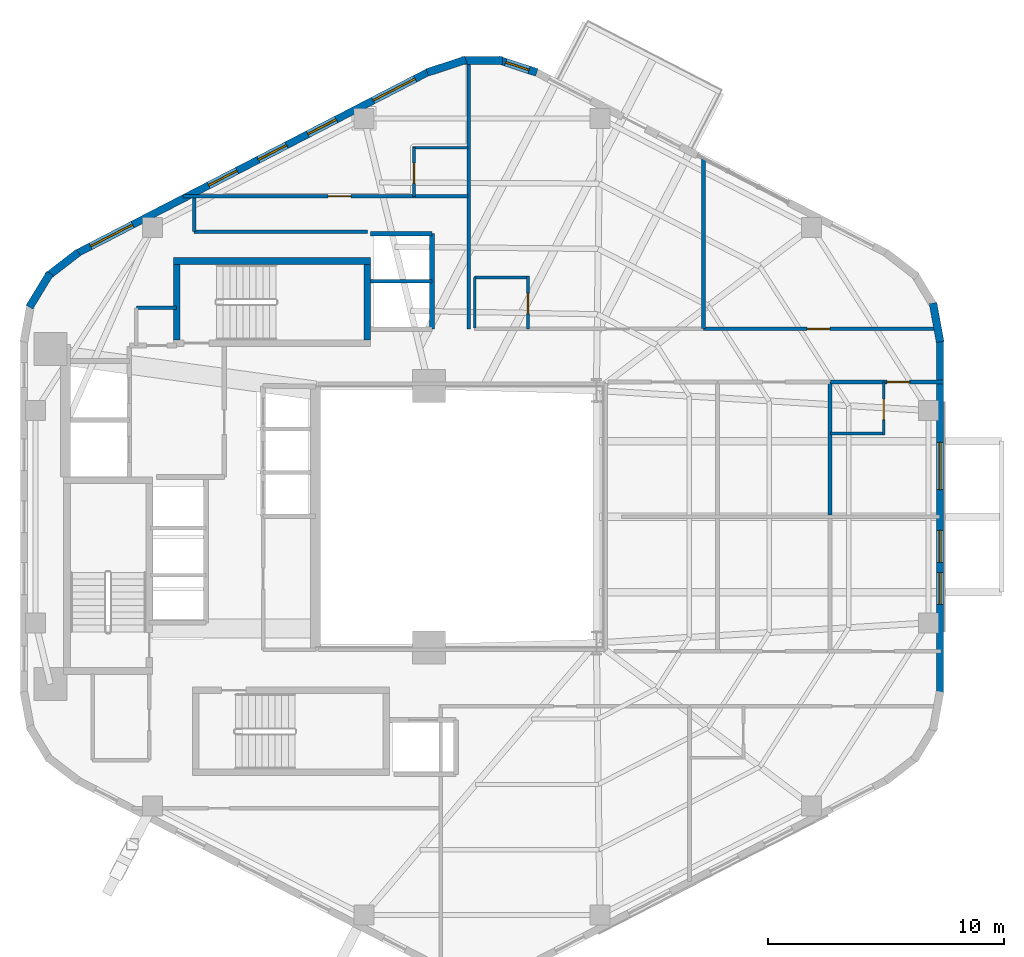
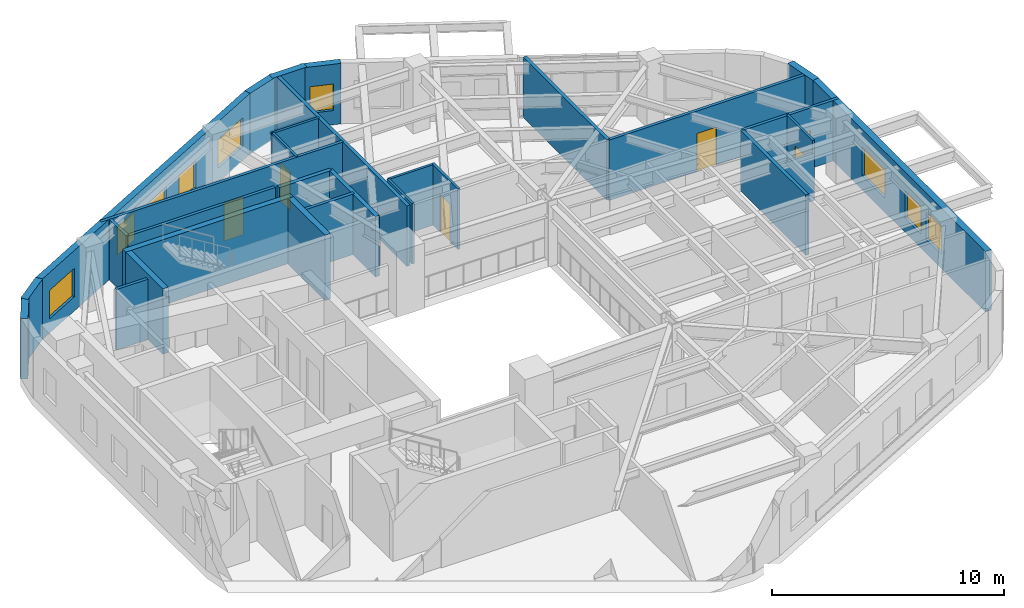
# One storey, part 9 of 12: 30 walls, 9 windows, 6 doors, 15 openings.
"""IFC4 building model written with IfcOpenShell, lengths in metres."""

from ifc_helpers import new_model, si_unit, direction, frame, frame_2d, origin, place, context, subcontext, project, spatial, rectangle, extrude, material, layer, layer_set, type_object, element, fill, save


model = new_model("IFC4")

# Units and contexts
model_context = context("Model", 3, precision=1e-05, world=origin(), true_north=direction((0.0, 1.0)))
body_context = subcontext(model_context, "Body", "Model", "MODEL_VIEW")
ifc_project = project(units=[si_unit("LENGTHUNIT", "METRE"), si_unit("AREAUNIT", "SQUARE_METRE"), si_unit("VOLUMEUNIT", "CUBIC_METRE"), si_unit("PLANEANGLEUNIT", "RADIAN"), si_unit("MASSUNIT", "GRAM", prefix="KILO"), si_unit("THERMODYNAMICTEMPERATUREUNIT", "KELVIN"), si_unit("POWERUNIT", "WATT")], contexts=[model_context])

# Site, building, storey
site_placement = place(None, origin())
site = spatial("IfcSite", under=ifc_project, at=site_placement, CompositionType="ELEMENT")
building_placement = place(site_placement, origin())
building = spatial("IfcBuilding", under=site, at=building_placement, Name="Skarre Station Tower", CompositionType="ELEMENT")
storey_placement = place(building_placement, frame((0.0, 0.0, 163.64990234375)))
storey = spatial("IfcBuildingStorey", under=building, at=storey_placement, Name="L44", CompositionType="ELEMENT", Elevation=163.64990234375)

# Wall
ifc_material_1 = material(Name="Acoustic Steel-Stud Gypsum Partition", Category="steel")
ifc_layer_1 = layer(ifc_material_1, 0.14990234375, Name="Acoustic Steel-Stud Gypsum Partition")
ifc_layer_set_1 = layer_set([ifc_layer_1], Name="Acoustic Steel-Stud Gypsum Partition")
wall_type_1 = type_object("IfcWallType", Name="Fire-Rated Corridor Acoustic Partition 150", PredefinedType="PARTITIONING", material=ifc_layer_set_1)
wall_1_placement = place(storey_placement, frame((21.659912109375, 32.85009765625, 0.0), z_axis=(0.0, 0.0, 1.0), x_axis=(-1.0, 0.0, 0.0)))
element("IfcWall", 1, at=wall_1_placement, inside=storey, type_object=wall_type_1, Name="L44 Interior Partition WL-PT-L44-CNW-N1", PredefinedType="PARTITIONING", context=body_context, shape_type="SweptSolid", body=[
    extrude(rectangle(XDim=1.7099609375, YDim=0.14990234375, at=frame_2d((0.85498046875, 0.0))), origin(), (0.0, 0.0, 1.0), 3.190185546875),
])

# Wall, opening, door
wall_2_placement = place(storey_placement, frame((34.0, 37.580078125, 0.0), z_axis=(0.0, 0.0, 1.0), x_axis=(-1.0, 0.0, 0.0)))
wall_2 = element("IfcWall", 2, at=wall_2_placement, inside=storey, type_object=wall_type_1, Name="L44 Interior Partition WL-PT-L44-NWW1-CW", PredefinedType="PARTITIONING", context=body_context, shape_type="SweptSolid", body=[
    extrude(rectangle(XDim=12.074951171875, YDim=0.14990234375, at=frame_2d((6.03759765625, 0.0))), origin(), (0.0, 0.0, 1.0), 3.190185546875),
])
opening_1_placement = place(wall_2_placement, frame((4.9599609375, 0.0, 0.0)))
opening_1 = element("IfcOpeningElement", 3, at=opening_1_placement, cuts=wall_2, Name="Opening DR-FD60", PredefinedType="OPENING", context=body_context, shape_type="SweptSolid", body=[
    extrude(rectangle(XDim=0.9599609375, YDim=2.0, at=frame_2d((0.47998046875, 1.0))), frame((0.0, 0.0849609375, 0.0), z_axis=(0.0, -1.0, 0.0), x_axis=(1.0, 0.0, 0.0)), (0.0, 0.0, 1.0), 0.169921875),
])
ifc_material_2 = material(Name="Nordic White-Oak Veneer Solid-Core Fire Leaf", Category="wood")
door_type_1 = type_object("IfcDoorType", Name="Corridor Suite Entry Fire Door FD60 960x2150", OperationType="SINGLE_SWING_LEFT", PredefinedType="DOOR", material=ifc_material_2)
door_1_placement = place(opening_1_placement, origin())
door_1 = element("IfcDoor", 4, at=door_1_placement, inside=storey, type_object=door_type_1, Name="L44 NWW1 Entry Door", OperationType="SINGLE_SWING_LEFT", OverallHeight=2.0, OverallWidth=0.9599609375, PredefinedType="DOOR", context=body_context, shape_type="SweptSolid", body=[
    extrude(rectangle(XDim=0.9599609375, YDim=2.0, at=frame_2d((0.47998046875, 1.0))), frame((0.0, 0.02490234375, 0.0), z_axis=(0.0, -1.0, 0.0), x_axis=(1.0, 0.0, 0.0)), (0.0, 0.0, 1.0), 0.050048828125),
])
fill(opening_1, door_1)

wall_3_placement = place(storey_placement, frame((53.969970703125, 31.9599609375, 0.0), z_axis=(0.0, 0.0, 1.0), x_axis=(-1.0, 0.0, 0.0)))
wall_3 = element("IfcWall", 5, at=wall_3_placement, inside=storey, type_object=wall_type_1, Name="L44 Interior Partition WL-PT-L44-NW2-CW", PredefinedType="PARTITIONING", context=body_context, shape_type="SweptSolid", body=[
    extrude(rectangle(XDim=9.974853515625, YDim=0.14990234375, at=frame_2d((4.9873046875, 0.0))), origin(), (0.0, 0.0, 1.0), 3.190185546875),
])
opening_2_placement = place(wall_3_placement, frame((4.626953125, 0.0, 0.0)))
opening_2 = element("IfcOpeningElement", 6, at=opening_2_placement, cuts=wall_3, Name="Opening DR-FD60", PredefinedType="OPENING", context=body_context, shape_type="SweptSolid", body=[
    extrude(rectangle(XDim=0.9599609375, YDim=2.0, at=frame_2d((0.47998046875, 1.0))), frame((0.0, 0.0849609375, 0.0), z_axis=(0.0, -1.0, 0.0), x_axis=(1.0, 0.0, 0.0)), (0.0, 0.0, 1.0), 0.169921875),
])
door_2_placement = place(opening_2_placement, origin())
door_2 = element("IfcDoor", 7, at=door_2_placement, inside=storey, type_object=door_type_1, Name="L44 NW2 Entry Door", OperationType="SINGLE_SWING_LEFT", OverallHeight=2.0, OverallWidth=0.9599609375, PredefinedType="DOOR", context=body_context, shape_type="SweptSolid", body=[
    extrude(rectangle(XDim=0.9599609375, YDim=2.0, at=frame_2d((0.47998046875, 1.0))), frame((0.0, 0.02490234375, 0.0), z_axis=(0.0, -1.0, 0.0), x_axis=(1.0, 0.0, 0.0)), (0.0, 0.0, 1.0), 0.050048828125),
])
fill(opening_2, door_2)

wall_4_placement = place(storey_placement, frame((49.373046875, 29.7099609375, 0.0), z_axis=(0.0, 0.0, 1.0), x_axis=(1.0, 0.0, 0.0)))
wall_4 = element("IfcWall", 8, at=wall_4_placement, inside=storey, type_object=wall_type_1, Name="L44 Interior Partition WL-PT-L44-EWN3-CW", PredefinedType="PARTITIONING", context=body_context, shape_type="SweptSolid", body=[
    extrude(rectangle(XDim=4.7890625, YDim=0.14990234375, at=frame_2d((2.39453125, 0.0))), origin(), (0.0, 0.0, 1.0), 3.190185546875),
])
opening_3_placement = place(wall_4_placement, frame((2.388916015625, 0.0, 0.0)))
opening_3 = element("IfcOpeningElement", 9, at=opening_3_placement, cuts=wall_4, Name="Opening DR-FD60", PredefinedType="OPENING", context=body_context, shape_type="SweptSolid", body=[
    extrude(rectangle(XDim=0.9599609375, YDim=2.0, at=frame_2d((0.47998046875, 1.0))), frame((0.0, 0.0849609375, 0.0), z_axis=(0.0, -1.0, 0.0), x_axis=(1.0, 0.0, 0.0)), (0.0, 0.0, 1.0), 0.169921875),
])
door_3_placement = place(opening_3_placement, origin())
door_3 = element("IfcDoor", 10, at=door_3_placement, inside=storey, type_object=door_type_1, Name="L44 EWN3 Entry Door", OperationType="SINGLE_SWING_LEFT", OverallHeight=2.0, OverallWidth=0.9599609375, PredefinedType="DOOR", context=body_context, shape_type="SweptSolid", body=[
    extrude(rectangle(XDim=0.9599609375, YDim=2.0, at=frame_2d((0.47998046875, 1.0))), frame((0.0, 0.02490234375, 0.0), z_axis=(0.0, -1.0, 0.0), x_axis=(1.0, 0.0, 0.0)), (0.0, 0.0, 1.0), 0.050048828125),
])
fill(opening_3, door_3)

# Walls
wall_5_placement = place(storey_placement, frame((29.7529296875, 36.080078125, 0.0), z_axis=(0.0, 0.0, 1.0), x_axis=(-1.0, 0.0, 0.0)))
element("IfcWall", 11, at=wall_5_placement, inside=storey, type_object=wall_type_1, Name="L44 Interior Partition WL-PT-L44-CSEAL-1", PredefinedType="PARTITIONING", context=body_context, shape_type="SweptSolid", body=[
    extrude(rectangle(XDim=7.35302734375, YDim=0.14990234375, at=frame_2d((3.676513671875, 0.0))), origin(), (0.0, 0.0, 1.0), 3.190185546875),
])
wall_6_placement = place(storey_placement, frame((22.39990234375, 36.080078125, 0.0), z_axis=(0.0, 0.0, 1.0), x_axis=(0.0, 1.0, 0.0)))
element("IfcWall", 12, at=wall_6_placement, inside=storey, type_object=wall_type_1, Name="L44 Interior Partition WL-PT-L44-CSEAL-2", PredefinedType="PARTITIONING", context=body_context, shape_type="SweptSolid", body=[
    extrude(rectangle(XDim=1.429931640625, YDim=0.14990234375, at=frame_2d((0.71484375, 0.0))), origin(), (0.0, 0.0, 1.0), 3.190185546875),
])
ifc_material_3 = material(Name="Insulated Timber-Stud Gypsum Partition", Category="wood")
ifc_layer_2 = layer(ifc_material_3, 0.1201171875, Name="Insulated Timber-Stud Gypsum Partition")
ifc_layer_set_2 = layer_set([ifc_layer_2], Name="Insulated Timber-Stud Gypsum Partition")
wall_type_2 = type_object("IfcWallType", Name="Internal Suite Acoustic Partition 120", PredefinedType="PARTITIONING", material=ifc_layer_set_2)
wall_7_placement = place(storey_placement, frame((34.0, 39.639892578125, 0.0), z_axis=(0.0, 0.0, 1.0), x_axis=(-1.0, 0.0, 0.0)))
element("IfcWall", 13, at=wall_7_placement, inside=storey, type_object=wall_type_2, Name="L44 Interior Partition WL-PT-L44-NWW1-EW3", PredefinedType="PARTITIONING", context=body_context, shape_type="SweptSolid", body=[
    extrude(rectangle(XDim=2.340087890625, YDim=0.1201171875, at=frame_2d((1.169921875, 0.0))), origin(), (0.0, 0.0, 1.0), 3.190185546875),
])

# Wall, opening, door
wall_8_placement = place(storey_placement, frame((31.719970703125, 39.639892578125, 0.0), z_axis=(0.0, 0.0, 1.0), x_axis=(0.0, -1.0, 0.0)))
wall_8 = element("IfcWall", 14, at=wall_8_placement, inside=storey, type_object=wall_type_2, Name="L44 Interior Partition WL-PT-L44-NWW1-EW4", PredefinedType="PARTITIONING", context=body_context, shape_type="SweptSolid", body=[
    extrude(rectangle(XDim=2.059814453125, YDim=0.1201171875, at=frame_2d((1.02978515625, 0.0))), origin(), (0.0, 0.0, 1.0), 3.190185546875),
])
opening_4_placement = place(wall_8_placement, frame((0.64990234375, 0.0, 0.0)))
opening_4 = element("IfcOpeningElement", 15, at=opening_4_placement, cuts=wall_8, Name="Opening DR-INT86", PredefinedType="OPENING", context=body_context, shape_type="SweptSolid", body=[
    extrude(rectangle(XDim=0.860107421875, YDim=2.0, at=frame_2d((0.43017578125, 1.0))), frame((0.0, 0.070068359375, 0.0), z_axis=(0.0, -1.0, 0.0), x_axis=(1.0, 0.0, 0.0)), (0.0, 0.0, 1.0), 0.14013671875),
])
ifc_material_4 = material(Name="Nordic Birch Acoustic Solid-Core Timber Leaf", Category="wood")
door_type_2 = type_object("IfcDoorType", Name="Internal En-Suite & Bedroom Door 860x2100", OperationType="SINGLE_SWING_LEFT", PredefinedType="DOOR", material=ifc_material_4)
door_4_placement = place(opening_4_placement, origin())
door_4 = element("IfcDoor", 16, at=door_4_placement, inside=storey, type_object=door_type_2, Name="L44 NWW1 En-suite Door", OperationType="SINGLE_SWING_RIGHT", OverallHeight=2.0, OverallWidth=0.860107421875, PredefinedType="DOOR", context=body_context, shape_type="SweptSolid", body=[
    extrude(rectangle(XDim=0.860107421875, YDim=2.0, at=frame_2d((0.43017578125, 1.0))), frame((0.0, 0.02490234375, 0.0), z_axis=(0.0, -1.0, 0.0), x_axis=(1.0, 0.0, 0.0)), (0.0, 0.0, 1.0), 0.050048828125),
])
fill(opening_4, door_4)

wall_9_placement = place(storey_placement, frame((36.550048828125, 31.9599609375, 0.0), z_axis=(0.0, 0.0, 1.0), x_axis=(0.0, 1.0, 0.0)))
wall_9 = element("IfcWall", 17, at=wall_9_placement, inside=storey, type_object=wall_type_2, Name="L44 Interior Partition WL-PT-L44-NW1-EW2", PredefinedType="PARTITIONING", context=body_context, shape_type="SweptSolid", body=[
    extrude(rectangle(XDim=2.239990234375, YDim=0.1201171875, at=frame_2d((1.1201171875, 0.0))), origin(), (0.0, 0.0, 1.0), 3.190185546875),
])
opening_5_placement = place(wall_9_placement, frame((0.64990234375, 0.0, 0.0)))
opening_5 = element("IfcOpeningElement", 18, at=opening_5_placement, cuts=wall_9, Name="Opening DR-INT86", PredefinedType="OPENING", context=body_context, shape_type="SweptSolid", body=[
    extrude(rectangle(XDim=0.860107421875, YDim=2.0, at=frame_2d((0.43017578125, 1.0))), frame((0.0, 0.070068359375, 0.0), z_axis=(0.0, -1.0, 0.0), x_axis=(1.0, 0.0, 0.0)), (0.0, 0.0, 1.0), 0.14013671875),
])
door_5_placement = place(opening_5_placement, origin())
door_5 = element("IfcDoor", 19, at=door_5_placement, inside=storey, type_object=door_type_2, Name="L44 NW1 En-suite Door", OperationType="SINGLE_SWING_LEFT", OverallHeight=2.0, OverallWidth=0.860107421875, PredefinedType="DOOR", context=body_context, shape_type="SweptSolid", body=[
    extrude(rectangle(XDim=0.860107421875, YDim=2.0, at=frame_2d((0.43017578125, 1.0))), frame((0.0, 0.02490234375, 0.0), z_axis=(0.0, -1.0, 0.0), x_axis=(1.0, 0.0, 0.0)), (0.0, 0.0, 1.0), 0.050048828125),
])
fill(opening_5, door_5)

# Walls
wall_10_placement = place(storey_placement, frame((36.610107421875, 34.139892578125, 0.0), z_axis=(0.0, 0.0, 1.0), x_axis=(-1.0, 0.0, 0.0)))
element("IfcWall", 20, at=wall_10_placement, inside=storey, type_object=wall_type_2, Name="L44 Interior Partition WL-PT-L44-NW1-EW3", PredefinedType="PARTITIONING", context=body_context, shape_type="SweptSolid", body=[
    extrude(rectangle(XDim=2.320068359375, YDim=0.1201171875, at=frame_2d((1.16015625, 0.0))), origin(), (0.0, 0.0, 1.0), 3.190185546875),
])
wall_11_placement = place(storey_placement, frame((34.2900390625, 34.139892578125, 0.0), z_axis=(0.0, 0.0, 1.0), x_axis=(0.0, -1.0, 0.0)))
element("IfcWall", 21, at=wall_11_placement, inside=storey, type_object=wall_type_2, Name="L44 Interior Partition WL-PT-L44-NW1-EW4", PredefinedType="PARTITIONING", context=body_context, shape_type="SweptSolid", body=[
    extrude(rectangle(XDim=2.139892578125, YDim=0.1201171875, at=frame_2d((1.06982421875, 0.0))), origin(), (0.0, 0.0, 1.0), 3.190185546875),
])

# Wall, opening, door
wall_12_placement = place(storey_placement, frame((51.633056640625, 27.469970703125, 0.0), z_axis=(0.0, 0.0, 1.0), x_axis=(0.0, 1.0, 0.0)))
wall_12 = element("IfcWall", 22, at=wall_12_placement, inside=storey, type_object=wall_type_2, Name="L44 Interior Partition WL-PT-L44-EWN3-EW2", PredefinedType="PARTITIONING", context=body_context, shape_type="SweptSolid", body=[
    extrude(rectangle(XDim=2.239990234375, YDim=0.1201171875, at=frame_2d((1.1201171875, 0.0))), origin(), (0.0, 0.0, 1.0), 3.190185546875),
])
opening_6_placement = place(wall_12_placement, frame((0.64990234375, 0.0, 0.0)))
opening_6 = element("IfcOpeningElement", 23, at=opening_6_placement, cuts=wall_12, Name="Opening DR-INT86", PredefinedType="OPENING", context=body_context, shape_type="SweptSolid", body=[
    extrude(rectangle(XDim=0.860107421875, YDim=2.0, at=frame_2d((0.43017578125, 1.0))), frame((0.0, 0.070068359375, 0.0), z_axis=(0.0, -1.0, 0.0), x_axis=(1.0, 0.0, 0.0)), (0.0, 0.0, 1.0), 0.14013671875),
])
door_6_placement = place(opening_6_placement, origin())
door_6 = element("IfcDoor", 24, at=door_6_placement, inside=storey, type_object=door_type_2, Name="L44 EWN3 En-suite Door", OperationType="SINGLE_SWING_RIGHT", OverallHeight=2.0, OverallWidth=0.860107421875, PredefinedType="DOOR", context=body_context, shape_type="SweptSolid", body=[
    extrude(rectangle(XDim=0.860107421875, YDim=2.0, at=frame_2d((0.43017578125, 1.0))), frame((0.0, 0.02490234375, 0.0), z_axis=(0.0, -1.0, 0.0), x_axis=(1.0, 0.0, 0.0)), (0.0, 0.0, 1.0), 0.050048828125),
])
fill(opening_6, door_6)

# Walls
wall_13_placement = place(storey_placement, frame((49.373046875, 27.530029296875, 0.0), z_axis=(0.0, 0.0, 1.0), x_axis=(1.0, 0.0, 0.0)))
element("IfcWall", 25, at=wall_13_placement, inside=storey, type_object=wall_type_2, Name="L44 Interior Partition WL-PT-L44-EWN3-EW1", PredefinedType="PARTITIONING", context=body_context, shape_type="SweptSolid", body=[
    extrude(rectangle(XDim=2.320068359375, YDim=0.1201171875, at=frame_2d((1.16015625, 0.0))), origin(), (0.0, 0.0, 1.0), 2.494140625),
])
ifc_material_5 = material(Name="Precast concrete C45/55", Category="concrete")
ifc_layer_3 = layer(ifc_material_5, 0.330078125, Name="Precast concrete C45/55")
ifc_layer_set_3 = layer_set([ifc_layer_3], Name="Precast concrete C45/55")
wall_type_3 = type_object("IfcWallType", Name="Nordic Rounded Corner Precast Wall 330", PredefinedType="STANDARD", material=ifc_layer_set_3)
wall_14_placement = place(storey_placement, frame((53.718017578125, 33.056884765625, 0.0), z_axis=(0.0, 0.0, 1.0), x_axis=(0.180717642671, -0.983535019014, 0.0)))
element("IfcWall", 26, at=wall_14_placement, inside=storey, type_object=wall_type_3, Name="L44 Rounded Corner Precast Wall F0-3", PredefinedType="STANDARD", context=body_context, shape_type="SweptSolid", body=[
    extrude(rectangle(XDim=1.676513671875, YDim=0.330078125, at=frame_2d((0.83837890625, 0.0))), origin(), (0.0, 0.0, 1.0), 3.190185546875),
])
wall_15_placement = place(storey_placement, frame((32.281005859375, 42.83203125, 0.0), z_axis=(0.0, 0.0, 1.0), x_axis=(0.949937416267, 0.312440242569, 0.0)))
element("IfcWall", 27, at=wall_15_placement, inside=storey, type_object=wall_type_3, Name="L44 Rounded Corner Precast Wall F1-1", PredefinedType="STANDARD", context=body_context, shape_type="SweptSolid", body=[
    extrude(rectangle(XDim=1.72216796875, YDim=0.330078125, at=frame_2d((0.861083984375, 0.0))), origin(), (0.0, 0.0, 1.0), 3.190185546875),
])
wall_16_placement = place(storey_placement, frame((33.739013671875, 43.341064453125, 0.0), z_axis=(0.0, 0.0, 1.0), x_axis=(1.0, 0.0, 0.0)))
element("IfcWall", 28, at=wall_16_placement, inside=storey, type_object=wall_type_3, Name="L44 Rounded Corner Precast Wall F1-2", PredefinedType="STANDARD", context=body_context, shape_type="SweptSolid", body=[
    extrude(rectangle(XDim=1.721923828125, YDim=0.330078125, at=frame_2d((0.86083984375, 0.0))), origin(), (0.0, 0.0, 1.0), 3.190185546875),
])

# Wall, opening, window
wall_17_placement = place(storey_placement, frame((35.282958984375, 43.3701171875, 0.0), z_axis=(0.0, 0.0, 1.0), x_axis=(0.949937416267, -0.312440242569, 0.0)))
wall_17 = element("IfcWall", 29, at=wall_17_placement, inside=storey, type_object=wall_type_3, Name="L44 Rounded Corner Precast Wall F1-3", PredefinedType="STANDARD", context=body_context, shape_type="SweptSolid", body=[
    extrude(rectangle(XDim=1.72216796875, YDim=0.330078125, at=frame_2d((0.861083984375, 0.0))), origin(), (0.0, 0.0, 1.0), 3.190185546875),
])
opening_7_placement = place(wall_17_placement, frame((0.3359375, 0.0, 0.75)))
opening_7 = element("IfcOpeningElement", 30, at=opening_7_placement, cuts=wall_17, Name="Opening WN-SLT", PredefinedType="OPENING", context=body_context, shape_type="SweptSolid", body=[
    extrude(rectangle(XDim=1.050048828125, YDim=1.39990234375, at=frame_2d((0.52490234375, 0.699951171875))), frame((0.0, 0.175048828125, 0.0), z_axis=(0.0, -1.0, 0.0), x_axis=(1.0, 0.0, 0.0)), (0.0, 0.0, 1.0), 0.35009765625),
])
ifc_material_6 = material(Name="Low-Iron Triple Glazing with Bronze Anodized Frame", Category="glass")
window_type_1 = type_object("IfcWindowType", Name="Nordic Corner Slot Window 1050x1400", PartitioningType="SINGLE_PANEL", PredefinedType="WINDOW", material=ifc_material_6)
window_1_placement = place(opening_7_placement, origin())
window_1 = element("IfcWindow", 31, at=window_1_placement, inside=storey, type_object=window_type_1, Name="L44 Apex Corner Slot Window F1-3", OverallHeight=1.39990234375, OverallWidth=1.050048828125, PartitioningType="SINGLE_PANEL", PredefinedType="WINDOW", context=body_context, shape_type="SweptSolid", body=[
    extrude(rectangle(XDim=1.050048828125, YDim=1.39990234375, at=frame_2d((0.52490234375, 0.699951171875))), frame((0.0, 0.030029296875, 0.0), z_axis=(0.0, -1.0, 0.0), x_axis=(1.0, 0.0, 0.0)), (0.0, 0.0, 1.0), 0.06005859375),
])
fill(opening_7, window_1)

# Walls
wall_18_placement = place(storey_placement, frame((15.4150390625, 32.882080078125, 0.0), z_axis=(0.0, 0.0, 1.0), x_axis=(0.520325409202, 0.853968072318, 0.0)))
element("IfcWall", 32, at=wall_18_placement, inside=storey, type_object=wall_type_3, Name="L44 Rounded Corner Precast Wall F2-2", PredefinedType="STANDARD", context=body_context, shape_type="SweptSolid", body=[
    extrude(rectangle(XDim=1.677978515625, YDim=0.330078125, at=frame_2d((0.8388671875, 0.0))), origin(), (0.0, 0.0, 1.0), 3.190185546875),
])
wall_19_placement = place(storey_placement, frame((16.162109375, 34.175048828125, 0.0), z_axis=(0.0, 0.0, 1.0), x_axis=(0.791409877269, 0.611285862884, 0.0)))
element("IfcWall", 33, at=wall_19_placement, inside=storey, type_object=wall_type_3, Name="L44 Rounded Corner Precast Wall F2-3", PredefinedType="STANDARD", context=body_context, shape_type="SweptSolid", body=[
    extrude(rectangle(XDim=1.676513671875, YDim=0.330078125, at=frame_2d((0.83837890625, 0.0))), origin(), (0.0, 0.0, 1.0), 3.190185546875),
])

# Wall, openings, windows
ifc_layer_4 = layer(ifc_material_5, 0.31005859375, Name="Precast concrete C45/55")
ifc_layer_set_4 = layer_set([ifc_layer_4], Name="Precast concrete C45/55")
wall_type_4 = type_object("IfcWallType", Name="Nordic Upper-Zone Precast Facet Wall 310", PredefinedType="STANDARD", material=ifc_layer_set_4)
wall_20_placement = place(storey_placement, frame((17.407958984375, 35.153076171875, 0.0), z_axis=(0.0, 0.0, 1.0), x_axis=(0.888626188278, 0.458632202867, 0.0)))
wall_20 = element("IfcWall", 34, at=wall_20_placement, inside=storey, type_object=wall_type_4, Name="L44 Facet 1 Nordic Precast Masonry Wall", PredefinedType="STANDARD", context=body_context, shape_type="SweptSolid", body=[
    extrude(rectangle(XDim=16.828369140625, YDim=0.31005859375, at=frame_2d((8.4140625, 0.0))), origin(), (0.0, 0.0, 1.0), 3.190185546875),
])
opening_8_placement = place(wall_20_placement, frame((0.675048828125, 0.0, 0.75)))
opening_8 = element("IfcOpeningElement", 35, at=opening_8_placement, cuts=wall_20, Name="Opening WN-Z3A", PredefinedType="OPENING", context=body_context, shape_type="SweptSolid", body=[
    extrude(rectangle(XDim=2.0, YDim=1.5, at=frame_2d((1.0, 0.75))), frame((0.0, 0.1650390625, 0.0), z_axis=(0.0, -1.0, 0.0), x_axis=(1.0, 0.0, 0.0)), (0.0, 0.0, 1.0), 0.330078125),
])
opening_9_placement = place(wall_20_placement, frame((6.31201171875, 0.0, 0.75)))
opening_9 = element("IfcOpeningElement", 36, at=opening_9_placement, cuts=wall_20, Name="Opening WN-Z3B", PredefinedType="OPENING", context=body_context, shape_type="SweptSolid", body=[
    extrude(rectangle(XDim=1.35009765625, YDim=1.449951171875, at=frame_2d((0.675048828125, 0.72509765625))), frame((0.0, 0.1650390625, 0.0), z_axis=(0.0, -1.0, 0.0), x_axis=(1.0, 0.0, 0.0)), (0.0, 0.0, 1.0), 0.330078125),
])
opening_10_placement = place(wall_20_placement, frame((8.676025390625, 0.0, 0.75)))
opening_10 = element("IfcOpeningElement", 37, at=opening_10_placement, cuts=wall_20, Name="Opening WN-Z3B", PredefinedType="OPENING", context=body_context, shape_type="SweptSolid", body=[
    extrude(rectangle(XDim=1.35009765625, YDim=1.449951171875, at=frame_2d((0.675048828125, 0.72509765625))), frame((0.0, 0.1650390625, 0.0), z_axis=(0.0, -1.0, 0.0), x_axis=(1.0, 0.0, 0.0)), (0.0, 0.0, 1.0), 0.330078125),
])
opening_11_placement = place(wall_20_placement, frame((11.041015625, 0.0, 0.75)))
opening_11 = element("IfcOpeningElement", 38, at=opening_11_placement, cuts=wall_20, Name="Opening WN-Z3B", PredefinedType="OPENING", context=body_context, shape_type="SweptSolid", body=[
    extrude(rectangle(XDim=1.35009765625, YDim=1.449951171875, at=frame_2d((0.675048828125, 0.72509765625))), frame((0.0, 0.1650390625, 0.0), z_axis=(0.0, -1.0, 0.0), x_axis=(1.0, 0.0, 0.0)), (0.0, 0.0, 1.0), 0.330078125),
])
opening_12_placement = place(wall_20_placement, frame((14.153076171875, 0.0, 0.75)))
opening_12 = element("IfcOpeningElement", 39, at=opening_12_placement, cuts=wall_20, Name="Opening WN-Z3A", PredefinedType="OPENING", context=body_context, shape_type="SweptSolid", body=[
    extrude(rectangle(XDim=2.0, YDim=1.5, at=frame_2d((1.0, 0.75))), frame((0.0, 0.1650390625, 0.0), z_axis=(0.0, -1.0, 0.0), x_axis=(1.0, 0.0, 0.0)), (0.0, 0.0, 1.0), 0.330078125),
])
window_type_2 = type_object("IfcWindowType", Name="Nordic Hospitality Narrow Window 1350x1450", PartitioningType="SINGLE_PANEL", PredefinedType="WINDOW", material=ifc_material_6)
window_2_placement = place(opening_9_placement, origin())
window_2 = element("IfcWindow", 40, at=window_2_placement, inside=storey, type_object=window_type_2, Name="L44 Facade Window WL-FAC-L44-F1-2", OverallHeight=1.449951171875, OverallWidth=1.35009765625, PartitioningType="SINGLE_PANEL", PredefinedType="WINDOW", context=body_context, shape_type="SweptSolid", body=[
    extrude(rectangle(XDim=1.35009765625, YDim=1.449951171875, at=frame_2d((0.675048828125, 0.72509765625))), frame((0.0, 0.030029296875, 0.0), z_axis=(0.0, -1.0, 0.0), x_axis=(1.0, 0.0, 0.0)), (0.0, 0.0, 1.0), 0.06005859375),
])
fill(opening_9, window_2)
window_3_placement = place(opening_10_placement, origin())
window_3 = element("IfcWindow", 41, at=window_3_placement, inside=storey, type_object=window_type_2, Name="L44 Facade Window WL-FAC-L44-F1-3", OverallHeight=1.449951171875, OverallWidth=1.35009765625, PartitioningType="SINGLE_PANEL", PredefinedType="WINDOW", context=body_context, shape_type="SweptSolid", body=[
    extrude(rectangle(XDim=1.35009765625, YDim=1.449951171875, at=frame_2d((0.675048828125, 0.72509765625))), frame((0.0, 0.030029296875, 0.0), z_axis=(0.0, -1.0, 0.0), x_axis=(1.0, 0.0, 0.0)), (0.0, 0.0, 1.0), 0.06005859375),
])
fill(opening_10, window_3)
window_4_placement = place(opening_11_placement, origin())
window_4 = element("IfcWindow", 42, at=window_4_placement, inside=storey, type_object=window_type_2, Name="L44 Facade Window WL-FAC-L44-F1-4", OverallHeight=1.449951171875, OverallWidth=1.35009765625, PartitioningType="SINGLE_PANEL", PredefinedType="WINDOW", context=body_context, shape_type="SweptSolid", body=[
    extrude(rectangle(XDim=1.35009765625, YDim=1.449951171875, at=frame_2d((0.675048828125, 0.72509765625))), frame((0.0, 0.030029296875, 0.0), z_axis=(0.0, -1.0, 0.0), x_axis=(1.0, 0.0, 0.0)), (0.0, 0.0, 1.0), 0.06005859375),
])
fill(opening_11, window_4)
window_type_3 = type_object("IfcWindowType", Name="Nordic Hospitality Window 2000x1500", PartitioningType="SINGLE_PANEL", PredefinedType="WINDOW", material=ifc_material_6)
window_5_placement = place(opening_8_placement, origin())
window_5 = element("IfcWindow", 43, at=window_5_placement, inside=storey, type_object=window_type_3, Name="L44 Facade Window WL-FAC-L44-F1-1", OverallHeight=1.5, OverallWidth=2.0, PartitioningType="SINGLE_PANEL", PredefinedType="WINDOW", context=body_context, shape_type="SweptSolid", body=[
    extrude(rectangle(XDim=2.0, YDim=1.5, at=frame_2d((1.0, 0.75))), frame((0.0, 0.030029296875, 0.0), z_axis=(0.0, -1.0, 0.0), x_axis=(1.0, 0.0, 0.0)), (0.0, 0.0, 1.0), 0.06005859375),
])
fill(opening_8, window_5)
window_6_placement = place(opening_12_placement, origin())
window_6 = element("IfcWindow", 44, at=window_6_placement, inside=storey, type_object=window_type_3, Name="L44 Facade Window WL-FAC-L44-F1-5", OverallHeight=1.5, OverallWidth=2.0, PartitioningType="SINGLE_PANEL", PredefinedType="WINDOW", context=body_context, shape_type="SweptSolid", body=[
    extrude(rectangle(XDim=2.0, YDim=1.5, at=frame_2d((1.0, 0.75))), frame((0.0, 0.030029296875, 0.0), z_axis=(0.0, -1.0, 0.0), x_axis=(1.0, 0.0, 0.0)), (0.0, 0.0, 1.0), 0.06005859375),
])
fill(opening_12, window_6)

wall_21_placement = place(storey_placement, frame((54.01708984375, 31.501953125, 0.0), z_axis=(0.0, 0.0, 1.0), x_axis=(0.0, -1.0, 0.0)))
wall_21 = element("IfcWall", 45, at=wall_21_placement, inside=storey, type_object=wall_type_4, Name="L44 Facet 5 Nordic Precast Masonry Wall", PredefinedType="STANDARD", context=body_context, shape_type="SweptSolid", body=[
    extrude(rectangle(XDim=15.00390625, YDim=0.31005859375, at=frame_2d((7.501953125, 0.0))), origin(), (0.0, 0.0, 1.0), 3.190185546875),
])
opening_13_placement = place(wall_21_placement, frame((4.35302734375, 0.0, 0.75)))
opening_13 = element("IfcOpeningElement", 46, at=opening_13_placement, cuts=wall_21, Name="Opening WN-Z3A", PredefinedType="OPENING", context=body_context, shape_type="SweptSolid", body=[
    extrude(rectangle(XDim=2.0, YDim=1.5, at=frame_2d((1.0, 0.75))), frame((0.0, 0.1650390625, 0.0), z_axis=(0.0, -1.0, 0.0), x_axis=(1.0, 0.0, 0.0)), (0.0, 0.0, 1.0), 0.330078125),
])
opening_14_placement = place(wall_21_placement, frame((8.0830078125, 0.0, 0.75)))
opening_14 = element("IfcOpeningElement", 47, at=opening_14_placement, cuts=wall_21, Name="Opening WN-Z3B", PredefinedType="OPENING", context=body_context, shape_type="SweptSolid", body=[
    extrude(rectangle(XDim=1.35009765625, YDim=1.449951171875, at=frame_2d((0.675048828125, 0.72509765625))), frame((0.0, 0.1650390625, 0.0), z_axis=(0.0, -1.0, 0.0), x_axis=(1.0, 0.0, 0.0)), (0.0, 0.0, 1.0), 0.330078125),
])
opening_15_placement = place(wall_21_placement, frame((9.8701171875, 0.0, 0.75)))
opening_15 = element("IfcOpeningElement", 48, at=opening_15_placement, cuts=wall_21, Name="Opening WN-Z3B", PredefinedType="OPENING", context=body_context, shape_type="SweptSolid", body=[
    extrude(rectangle(XDim=1.35009765625, YDim=1.449951171875, at=frame_2d((0.675048828125, 0.72509765625))), frame((0.0, 0.1650390625, 0.0), z_axis=(0.0, -1.0, 0.0), x_axis=(1.0, 0.0, 0.0)), (0.0, 0.0, 1.0), 0.330078125),
])
window_7_placement = place(opening_14_placement, origin())
window_7 = element("IfcWindow", 49, at=window_7_placement, inside=storey, type_object=window_type_2, Name="L44 Facade Window WL-FAC-L44-F5-2", OverallHeight=1.449951171875, OverallWidth=1.35009765625, PartitioningType="SINGLE_PANEL", PredefinedType="WINDOW", context=body_context, shape_type="SweptSolid", body=[
    extrude(rectangle(XDim=1.35009765625, YDim=1.449951171875, at=frame_2d((0.675048828125, 0.72509765625))), frame((0.0, 0.030029296875, 0.0), z_axis=(0.0, -1.0, 0.0), x_axis=(1.0, 0.0, 0.0)), (0.0, 0.0, 1.0), 0.06005859375),
])
fill(opening_14, window_7)
window_8_placement = place(opening_15_placement, origin())
window_8 = element("IfcWindow", 50, at=window_8_placement, inside=storey, type_object=window_type_2, Name="L44 Facade Window WL-FAC-L44-F5-3", OverallHeight=1.449951171875, OverallWidth=1.35009765625, PartitioningType="SINGLE_PANEL", PredefinedType="WINDOW", context=body_context, shape_type="SweptSolid", body=[
    extrude(rectangle(XDim=1.35009765625, YDim=1.449951171875, at=frame_2d((0.675048828125, 0.72509765625))), frame((0.0, 0.030029296875, 0.0), z_axis=(0.0, -1.0, 0.0), x_axis=(1.0, 0.0, 0.0)), (0.0, 0.0, 1.0), 0.06005859375),
])
fill(opening_15, window_8)
window_9_placement = place(opening_13_placement, origin())
window_9 = element("IfcWindow", 51, at=window_9_placement, inside=storey, type_object=window_type_3, Name="L44 Facade Window WL-FAC-L44-F5-1", OverallHeight=1.5, OverallWidth=2.0, PartitioningType="SINGLE_PANEL", PredefinedType="WINDOW", context=body_context, shape_type="SweptSolid", body=[
    extrude(rectangle(XDim=2.0, YDim=1.5, at=frame_2d((1.0, 0.75))), frame((0.0, 0.030029296875, 0.0), z_axis=(0.0, -1.0, 0.0), x_axis=(1.0, 0.0, 0.0)), (0.0, 0.0, 1.0), 0.06005859375),
])
fill(opening_13, window_9)

# Walls
ifc_material_7 = material(Name="Concrete C50/60", Category="concrete")
ifc_layer_5 = layer(ifc_material_7, 0.280029296875, Name="Concrete C50/60")
ifc_layer_set_5 = layer_set([ifc_layer_5], Name="Concrete C50/60")
wall_type_5 = type_object("IfcWallType", Name="RC Core Shear Wall 280", PredefinedType="SHEAR", material=ifc_layer_set_5)
wall_22_placement = place(storey_placement, frame((29.8798828125, 34.840087890625, 0.0), z_axis=(0.0, 0.0, 1.0), x_axis=(-1.0, 0.0, 0.0)))
element("IfcWall", 52, at=wall_22_placement, inside=storey, type_object=wall_type_5, Name="L44 Stair ST-3 North Shear Wall", PredefinedType="SHEAR", context=body_context, shape_type="SweptSolid", body=[
    extrude(rectangle(XDim=8.35986328125, YDim=0.280029296875, at=frame_2d((4.179931640625, 0.0))), origin(), (0.0, 0.0, 1.0), 3.4501953125),
])
for number, where, z_axis, x_axis, name in (
    (53, (21.659912109375, 34.699951171875, 0.0), (0.0, 0.0, 1.0), (0.0, -1.0, 0.0), "L44 Stair ST-3 West Shear Wall"),
    (54, (29.739990234375, 31.5, 0.0), (0.0, 0.0, 1.0), (0.0, 1.0, 0.0), "L44 Stair ST-3 East Shear Wall"),
):
    element("IfcWall", number, at=place(storey_placement, frame(where, z_axis=z_axis, x_axis=x_axis)), inside=storey, type_object=wall_type_5, Name=name, PredefinedType="SHEAR", context=body_context, shape_type="SweptSolid", body=[
        extrude(rectangle(XDim=3.199951171875, YDim=0.280029296875, at=frame_2d((1.60009765625, 0.0))), origin(), (0.0, 0.0, 1.0), 3.4501953125),
    ])
ifc_material_8 = material(Name="Gypsum Concrete Shaft Assembly C30/37", Category="concrete")
ifc_layer_6 = layer(ifc_material_8, 0.199951171875, Name="Gypsum Concrete Shaft Assembly C30/37")
ifc_layer_set_6 = layer_set([ifc_layer_6], Name="Gypsum Concrete Shaft Assembly C30/37")
wall_type_6 = type_object("IfcWallType", Name="Shaft & Core Fire Partition 200", PredefinedType="PARTITIONING", material=ifc_layer_set_6)
wall_23_placement = place(storey_placement, frame((32.47998046875, 31.949951171875, 0.0), z_axis=(0.0, 0.0, 1.0), x_axis=(0.0, 1.0, 0.0)))
element("IfcWall", 55, at=wall_23_placement, inside=storey, type_object=wall_type_6, Name="L44 Interior Partition WL-PT-L44-EX-E", PredefinedType="PARTITIONING", context=body_context, shape_type="SweptSolid", body=[
    extrude(rectangle(XDim=4.050048828125, YDim=0.199951171875, at=frame_2d((2.02490234375, 0.0))), origin(), (0.0, 0.0, 1.0), 3.190185546875),
])
wall_24_placement = place(storey_placement, frame((29.8798828125, 36.0, 0.0), z_axis=(0.0, 0.0, 1.0), x_axis=(1.0, 0.0, 0.0)))
element("IfcWall", 56, at=wall_24_placement, inside=storey, type_object=wall_type_6, Name="L44 Interior Partition WL-PT-L44-EX-N", PredefinedType="PARTITIONING", context=body_context, shape_type="SweptSolid", body=[
    extrude(rectangle(XDim=2.60009765625, YDim=0.199951171875, at=frame_2d((1.300048828125, 0.0))), origin(), (0.0, 0.0, 1.0), 3.190185546875),
])
wall_25_placement = place(storey_placement, frame((29.875, 33.97998046875, 0.0), z_axis=(0.0, 0.0, 1.0), x_axis=(1.0, 0.0, 0.0)))
element("IfcWall", 57, at=wall_25_placement, inside=storey, type_object=wall_type_6, Name="L44 Interior Partition WL-PT-L44-EX-DIV", PredefinedType="PARTITIONING", context=body_context, shape_type="SweptSolid", body=[
    extrude(rectangle(XDim=2.60498046875, YDim=0.159912109375, at=frame_2d((1.302490234375, 0.0))), origin(), (0.0, 0.0, 1.0), 3.190185546875),
])
ifc_layer_7 = layer(ifc_material_1, 0.1650390625, Name="Acoustic Steel-Stud Gypsum Partition")
ifc_layer_set_7 = layer_set([ifc_layer_7], Name="Acoustic Steel-Stud Gypsum Partition")
wall_type_7 = type_object("IfcWallType", Name="Suite Demising Acoustic Partition 165", PredefinedType="PARTITIONING", material=ifc_layer_set_7)
wall_26_placement = place(storey_placement, frame((34.0400390625, 31.9599609375, 0.0), z_axis=(0.0, 0.0, 1.0), x_axis=(0.0, 1.0, 0.0)))
element("IfcWall", 58, at=wall_26_placement, inside=storey, type_object=wall_type_7, Name="L44 Interior Partition WL-PT-L44-NW-WBND", PredefinedType="PARTITIONING", context=body_context, shape_type="SweptSolid", body=[
    extrude(rectangle(XDim=11.3759765625, YDim=0.1650390625, at=frame_2d((5.68798828125, 0.0))), origin(), (0.0, 0.0, 1.0), 3.190185546875),
])
wall_27_placement = place(storey_placement, frame((43.989990234375, 31.969970703125, 0.0), z_axis=(0.0, 0.0, 1.0), x_axis=(0.0, 1.0, 0.0)))
element("IfcWall", 59, at=wall_27_placement, inside=storey, type_object=wall_type_7, Name="L44 Interior Partition WL-PT-L44-NW-P1", PredefinedType="PARTITIONING", context=body_context, shape_type="SweptSolid", body=[
    extrude(rectangle(XDim=7.193115234375, YDim=0.1650390625, at=frame_2d((3.5966796875, 0.0))), origin(), (0.0, 0.0, 1.0), 3.190185546875),
])
wall_28_placement = place(storey_placement, frame((49.35791015625, 24.070068359375, 0.0), z_axis=(0.0, 0.0, 1.0), x_axis=(0.0, 1.0, 0.0)))
element("IfcWall", 60, at=wall_28_placement, inside=storey, type_object=wall_type_7, Name="L44 Interior Partition WL-PT-L44-EWN-P2", PredefinedType="PARTITIONING", context=body_context, shape_type="SweptSolid", body=[
    extrude(rectangle(XDim=5.639892578125, YDim=0.1650390625, at=frame_2d((2.81982421875, 0.0))), origin(), (0.0, 0.0, 1.0), 3.190185546875),
])

save(model, "model.ifc")
